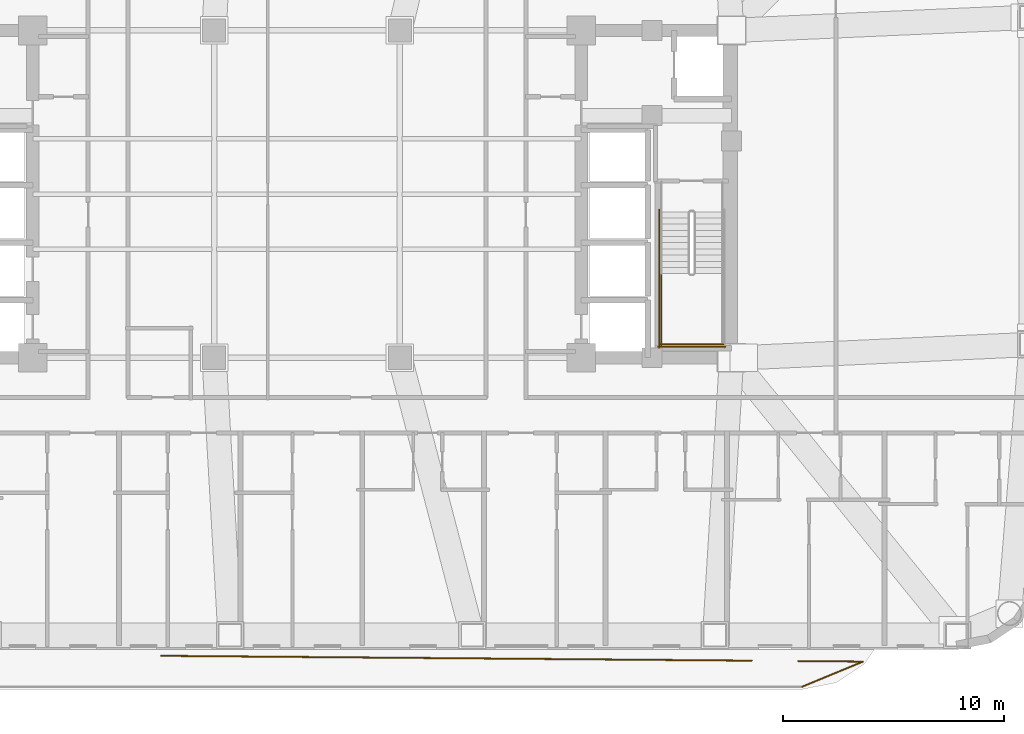
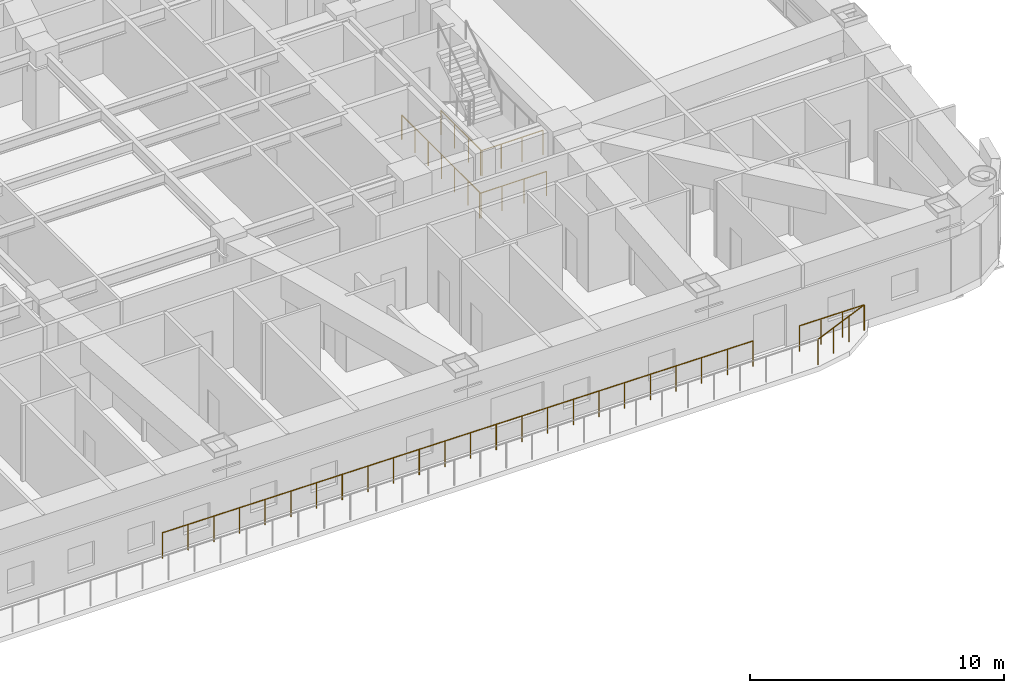
# One storey, part 16 of 18: 7 railings.
"""IFC4 building model written with IfcOpenShell, lengths in metres."""

from ifc_helpers import new_model, si_unit, direction, frame, origin, origin_2d, place, context, subcontext, project, spatial, circle, extrude, material, type_object, element, save


model = new_model("IFC4")

# Units and contexts
model_context = context("Model", 3, precision=1e-05, world=origin(), true_north=direction((0.0, 1.0)))
body_context = subcontext(model_context, "Body", "Model", "MODEL_VIEW")
ifc_project = project(units=[si_unit("LENGTHUNIT", "METRE"), si_unit("AREAUNIT", "SQUARE_METRE"), si_unit("VOLUMEUNIT", "CUBIC_METRE"), si_unit("PLANEANGLEUNIT", "RADIAN"), si_unit("MASSUNIT", "GRAM", prefix="KILO")], contexts=[model_context])

# Site, building, storey
site_placement = place(None, origin())
site = spatial("IfcSite", under=ifc_project, at=site_placement, CompositionType="ELEMENT")
building_placement = place(site_placement, origin())
building = spatial("IfcBuilding", under=site, at=building_placement, Name="Voryun Gate Residences", CompositionType="ELEMENT")
storey_placement = place(building_placement, frame((0.0, 0.0, 85.800048828125)))
storey = spatial("IfcBuildingStorey", under=building, at=storey_placement, Name="L20", CompositionType="ELEMENT", Elevation=85.800048828125)

# Railings
ifc_material_1 = material(Name="Painted steel", Category="steel")
railing_type_1 = type_object("IfcRailingType", Name="RAIL_STAIR_GUARD_1200", PredefinedType="GUARDRAIL", material=ifc_material_1)
railing_1_placement = place(storey_placement, frame((16.02490234375, -3.60009765625, 1.949951171875)))
element("IfcRailing", 1, at=railing_1_placement, inside=storey, type_object=railing_type_1, Name="L20 ST-E1 stair guard 3", PredefinedType="GUARDRAIL", context=body_context, shape_type="SweptSolid", body=[
    extrude(circle(Radius=0.02392578125, at=origin_2d()), frame((0.0, 0.0, 1.17578125), z_axis=(0.0, -1.0, 0.0), x_axis=(1.0, 0.0, 0.0)), (0.0, 0.0, 1.0), 3.25),
    extrude(circle(Radius=0.02099609375, at=origin_2d()), origin(), (0.0, 0.0, 1.0), 1.15185546875),
    extrude(circle(Radius=0.02099609375, at=origin_2d()), frame((0.0, -1.083251953125, 0.0)), (0.0, 0.0, 1.0), 1.15185546875),
    extrude(circle(Radius=0.02099609375, at=origin_2d()), frame((0.0, -2.166748046875, 0.0)), (0.0, 0.0, 1.0), 1.15185546875),
    extrude(circle(Radius=0.02099609375, at=origin_2d()), frame((0.0, -3.25, 0.0)), (0.0, 0.0, 1.0), 1.15185546875),
])
railing_2_placement = place(storey_placement, frame((15.97509765625, -6.800048828125, 1.949951171875)))
element("IfcRailing", 2, at=railing_2_placement, inside=storey, type_object=railing_type_1, Name="L20 ST-E1 stair guard 5", PredefinedType="GUARDRAIL", context=body_context, shape_type="SweptSolid", body=[
    extrude(circle(Radius=0.02392578125, at=origin_2d()), frame((0.0, 0.0, 1.17578125), z_axis=(1.0, 0.0, 0.0), x_axis=(0.0, 1.0, 0.0)), (0.0, 0.0, 1.0), 2.849853515625),
    extrude(circle(Radius=0.02099609375, at=origin_2d()), origin(), (0.0, 0.0, 1.0), 1.15185546875),
    extrude(circle(Radius=0.02099609375, at=origin_2d()), frame((0.949951171875, 0.0, 0.0)), (0.0, 0.0, 1.0), 1.15185546875),
    extrude(circle(Radius=0.02099609375, at=origin_2d()), frame((1.89990234375, 0.0, 0.0)), (0.0, 0.0, 1.0), 1.15185546875),
    extrude(circle(Radius=0.02099609375, at=origin_2d()), frame((2.849853515625, 0.0, 0.0)), (0.0, 0.0, 1.0), 1.15185546875),
])
railing_3_placement = place(storey_placement, frame((15.925048828125, -0.699951171875, 0.0)))
element("IfcRailing", 3, at=railing_3_placement, inside=storey, type_object=railing_type_1, Name="L20 ST-E1 stair guard 10", PredefinedType="GUARDRAIL", context=body_context, shape_type="SweptSolid", body=[
    extrude(circle(Radius=0.02392578125, at=origin_2d()), frame((0.0, 0.0, 1.17578125), z_axis=(0.0, -1.0, 0.0), x_axis=(1.0, 0.0, 0.0)), (0.0, 0.0, 1.0), 6.25),
    extrude(circle(Radius=0.02099609375, at=origin_2d()), origin(), (0.0, 0.0, 1.0), 1.15185546875),
    extrude(circle(Radius=0.02099609375, at=origin_2d()), frame((0.0, -1.041748046875, 0.0)), (0.0, 0.0, 1.0), 1.15185546875),
    extrude(circle(Radius=0.02099609375, at=origin_2d()), frame((0.0, -2.083251953125, 0.0)), (0.0, 0.0, 1.0), 1.15185546875),
    extrude(circle(Radius=0.02099609375, at=origin_2d()), frame((0.0, -3.125, 0.0)), (0.0, 0.0, 1.0), 1.15185546875),
    extrude(circle(Radius=0.02099609375, at=origin_2d()), frame((0.0, -4.166748046875, 0.0)), (0.0, 0.0, 1.0), 1.15185546875),
    extrude(circle(Radius=0.02099609375, at=origin_2d()), frame((0.0, -5.208251953125, 0.0)), (0.0, 0.0, 1.0), 1.15185546875),
    extrude(circle(Radius=0.02099609375, at=origin_2d()), frame((0.0, -6.25, 0.0)), (0.0, 0.0, 1.0), 1.15185546875),
])
railing_4_placement = place(storey_placement, frame((15.875, -6.89990234375, 0.0)))
element("IfcRailing", 4, at=railing_4_placement, inside=storey, type_object=railing_type_1, Name="L20 ST-E1 stair guard 12", PredefinedType="GUARDRAIL", context=body_context, shape_type="SweptSolid", body=[
    extrude(circle(Radius=0.02392578125, at=origin_2d()), frame((0.0, 0.0, 1.17578125), z_axis=(1.0, 0.0, 0.0), x_axis=(0.0, 1.0, 0.0)), (0.0, 0.0, 1.0), 3.050048828125),
    extrude(circle(Radius=0.02099609375, at=origin_2d()), origin(), (0.0, 0.0, 1.0), 1.15185546875),
    extrude(circle(Radius=0.02099609375, at=origin_2d()), frame((1.0166015625, 0.0, 0.0)), (0.0, 0.0, 1.0), 1.15185546875),
    extrude(circle(Radius=0.02099609375, at=origin_2d()), frame((2.033447265625, 0.0, 0.0)), (0.0, 0.0, 1.0), 1.15185546875),
    extrude(circle(Radius=0.02099609375, at=origin_2d()), frame((3.050048828125, 0.0, 0.0)), (0.0, 0.0, 1.0), 1.15185546875),
])
ifc_material_2 = material(Name="Anodised aluminium", Category="aluminium")
railing_type_2 = type_object("IfcRailingType", Name="RAIL_TERRACE_GUARD_1250", PredefinedType="GUARDRAIL", material=ifc_material_2)
railing_5_placement = place(storey_placement, frame((25.141845703125, -21.141845703125, 0.0)))
element("IfcRailing", 5, at=railing_5_placement, inside=storey, type_object=railing_type_2, Name="Terrace guard RL-L20-P1L1-01", PredefinedType="GUARDRAIL", context=body_context, shape_type="SweptSolid", body=[
    extrude(circle(Radius=0.02392578125, at=origin_2d()), frame((0.0, 0.0, 1.22607421875), z_axis=(-0.924166494008, -0.381989910015, 0.0), x_axis=(0.381989910015, -0.924166494008, 0.0)), (0.0, 0.0, 1.0), 2.979736328125),
    extrude(circle(Radius=0.02099609375, at=origin_2d()), origin(), (0.0, 0.0, 1.0), 1.201904296875),
    extrude(circle(Radius=0.02099609375, at=origin_2d()), frame((-0.91796875, -0.37939453125, 0.0)), (0.0, 0.0, 1.0), 1.201904296875),
    extrude(circle(Radius=0.02099609375, at=origin_2d()), frame((-1.835693359375, -0.7587890625, 0.0)), (0.0, 0.0, 1.0), 1.201904296875),
    extrude(circle(Radius=0.02099609375, at=origin_2d()), frame((-2.753662109375, -1.13818359375, 0.0)), (0.0, 0.0, 1.0), 1.201904296875),
])
railing_6_placement = place(storey_placement, frame((-6.6005859375, -20.8798828125, 0.0)))
element("IfcRailing", 6, at=railing_6_placement, inside=storey, type_object=railing_type_2, Name="Terrace guard RL-L20-P1L2-01", PredefinedType="GUARDRAIL", context=body_context, shape_type="SweptSolid", body=[
    extrude(circle(Radius=0.02392578125, at=origin_2d()), frame((0.0, 0.0, 1.22607421875), z_axis=(0.999965944641, -0.008252851563, 0.0), x_axis=(0.008252851563, 0.999965944641, 0.0)), (0.0, 0.0, 1.0), 26.713134765625),
    extrude(circle(Radius=0.02099609375, at=origin_2d()), origin(), (0.0, 0.0, 1.0), 1.201904296875),
    extrude(circle(Radius=0.02099609375, at=origin_2d()), frame((1.161376953125, -0.009521484375, 0.0)), (0.0, 0.0, 1.0), 1.201904296875),
    extrude(circle(Radius=0.02099609375, at=origin_2d()), frame((2.32275390625, -0.019287109375, 0.0)), (0.0, 0.0, 1.0), 1.201904296875),
    extrude(circle(Radius=0.02099609375, at=origin_2d()), frame((3.484130859375, -0.02880859375, 0.0)), (0.0, 0.0, 1.0), 1.201904296875),
    extrude(circle(Radius=0.02099609375, at=origin_2d()), frame((4.6455078125, -0.038330078125, 0.0)), (0.0, 0.0, 1.0), 1.201904296875),
    extrude(circle(Radius=0.02099609375, at=origin_2d()), frame((5.806884765625, -0.0478515625, 0.0)), (0.0, 0.0, 1.0), 1.201904296875),
    extrude(circle(Radius=0.02099609375, at=origin_2d()), frame((6.968505859375, -0.0576171875, 0.0)), (0.0, 0.0, 1.0), 1.201904296875),
    extrude(circle(Radius=0.02099609375, at=origin_2d()), frame((8.1298828125, -0.067138671875, 0.0)), (0.0, 0.0, 1.0), 1.201904296875),
    extrude(circle(Radius=0.02099609375, at=origin_2d()), frame((9.291259765625, -0.07666015625, 0.0)), (0.0, 0.0, 1.0), 1.201904296875),
    extrude(circle(Radius=0.02099609375, at=origin_2d()), frame((10.45263671875, -0.086181640625, 0.0)), (0.0, 0.0, 1.0), 1.201904296875),
    extrude(circle(Radius=0.02099609375, at=origin_2d()), frame((11.614013671875, -0.095947265625, 0.0)), (0.0, 0.0, 1.0), 1.201904296875),
    extrude(circle(Radius=0.02099609375, at=origin_2d()), frame((12.775390625, -0.10546875, 0.0)), (0.0, 0.0, 1.0), 1.201904296875),
    extrude(circle(Radius=0.02099609375, at=origin_2d()), frame((13.936767578125, -0.114990234375, 0.0)), (0.0, 0.0, 1.0), 1.201904296875),
    extrude(circle(Radius=0.02099609375, at=origin_2d()), frame((15.09814453125, -0.12451171875, 0.0)), (0.0, 0.0, 1.0), 1.201904296875),
    extrude(circle(Radius=0.02099609375, at=origin_2d()), frame((16.259521484375, -0.13427734375, 0.0)), (0.0, 0.0, 1.0), 1.201904296875),
    extrude(circle(Radius=0.02099609375, at=origin_2d()), frame((17.4208984375, -0.143798828125, 0.0)), (0.0, 0.0, 1.0), 1.201904296875),
    extrude(circle(Radius=0.02099609375, at=origin_2d()), frame((18.582275390625, -0.1533203125, 0.0)), (0.0, 0.0, 1.0), 1.201904296875),
    extrude(circle(Radius=0.02099609375, at=origin_2d()), frame((19.74365234375, -0.162841796875, 0.0)), (0.0, 0.0, 1.0), 1.201904296875),
    extrude(circle(Radius=0.02099609375, at=origin_2d()), frame((20.9052734375, -0.172607421875, 0.0)), (0.0, 0.0, 1.0), 1.201904296875),
    extrude(circle(Radius=0.02099609375, at=origin_2d()), frame((22.066650390625, -0.18212890625, 0.0)), (0.0, 0.0, 1.0), 1.201904296875),
    extrude(circle(Radius=0.02099609375, at=origin_2d()), frame((23.22802734375, -0.191650390625, 0.0)), (0.0, 0.0, 1.0), 1.201904296875),
    extrude(circle(Radius=0.02099609375, at=origin_2d()), frame((24.389404296875, -0.201171875, 0.0)), (0.0, 0.0, 1.0), 1.201904296875),
    extrude(circle(Radius=0.02099609375, at=origin_2d()), frame((25.55078125, -0.2109375, 0.0)), (0.0, 0.0, 1.0), 1.201904296875),
    extrude(circle(Radius=0.02099609375, at=origin_2d()), frame((26.712158203125, -0.220458984375, 0.0)), (0.0, 0.0, 1.0), 1.201904296875),
])
railing_7_placement = place(storey_placement, frame((22.21142578125, -21.11767578125, 0.0)))
element("IfcRailing", 7, at=railing_7_placement, inside=storey, type_object=railing_type_2, Name="Terrace guard RL-L20-P1L2-02", PredefinedType="GUARDRAIL", context=body_context, shape_type="SweptSolid", body=[
    extrude(circle(Radius=0.02392578125, at=origin_2d()), frame((0.0, 0.0, 1.22607421875), z_axis=(0.999965987495, -0.008247657482, 0.0), x_axis=(0.008247657482, 0.999965987495, 0.0)), (0.0, 0.0, 1.0), 2.930419921875),
    extrude(circle(Radius=0.02099609375, at=origin_2d()), origin(), (0.0, 0.0, 1.0), 1.201904296875),
    extrude(circle(Radius=0.02099609375, at=origin_2d()), frame((0.976806640625, -0.008056640625, 0.0)), (0.0, 0.0, 1.0), 1.201904296875),
    extrude(circle(Radius=0.02099609375, at=origin_2d()), frame((1.95361328125, -0.01611328125, 0.0)), (0.0, 0.0, 1.0), 1.201904296875),
    extrude(circle(Radius=0.02099609375, at=origin_2d()), frame((2.930419921875, -0.024169921875, 0.0)), (0.0, 0.0, 1.0), 1.201904296875),
])

save(model, "model.ifc")
